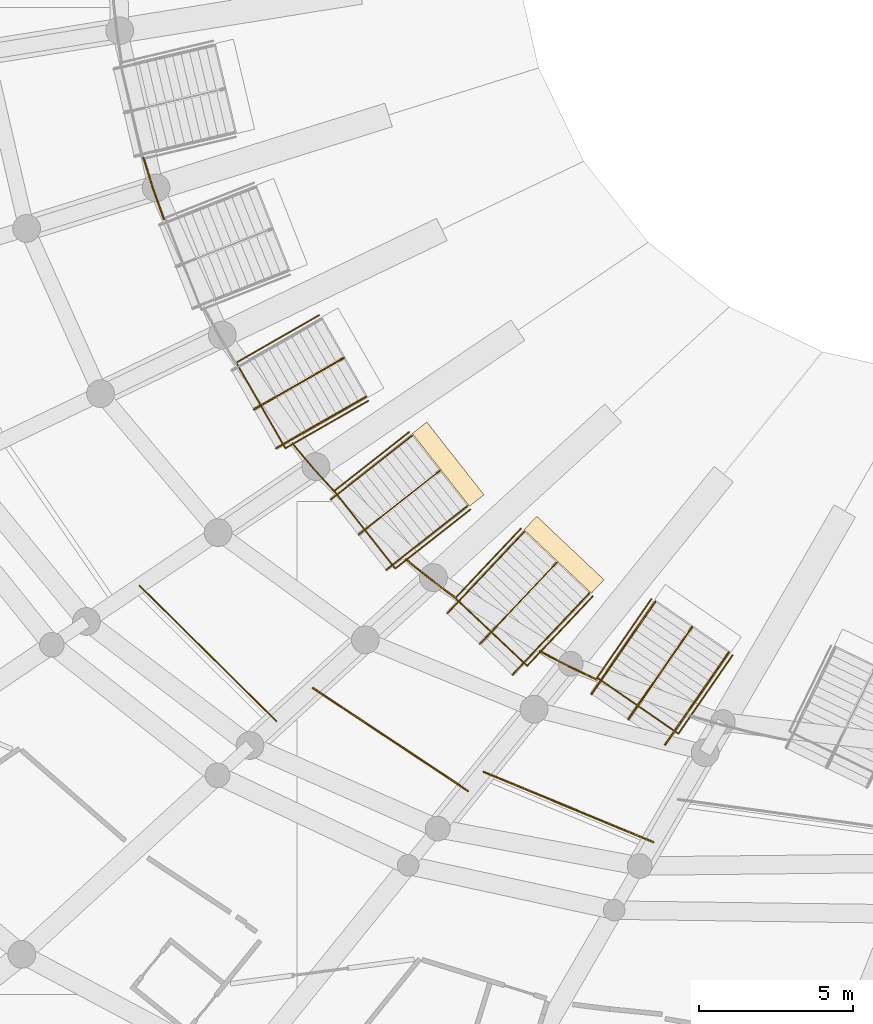
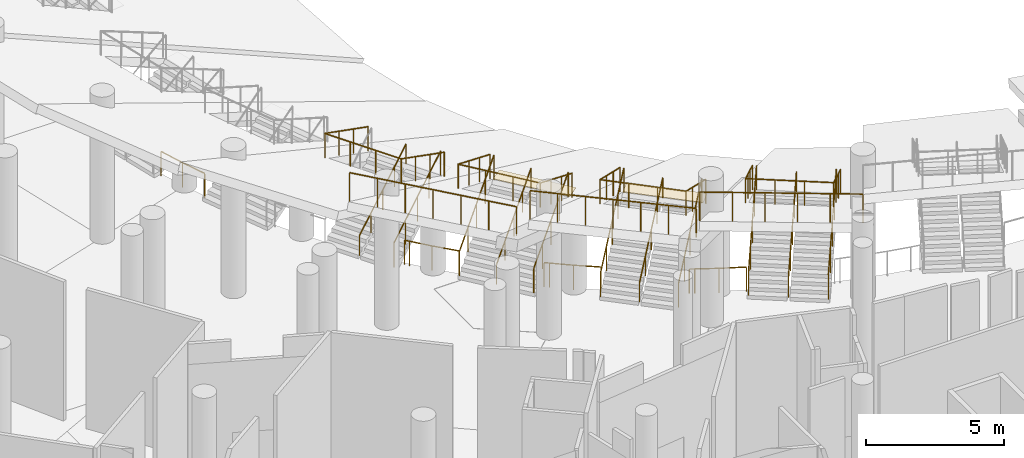
# One storey, part 194 of 255: 22 railings, 2 coverings.
"""IFC4 building model written with IfcOpenShell, lengths in metres."""

from ifc_helpers import new_model, si_unit, direction, frame, origin, origin_2d, place, context, subcontext, project, spatial, rectangle, circle, extrude, material, layer, layer_set, type_object, element, save


model = new_model("IFC4")

# Units and contexts
model_context = context("Model", 3, precision=1e-05, world=origin(), true_north=direction((0.0, 1.0)))
body_context = subcontext(model_context, "Body", "Model", "MODEL_VIEW")
ifc_project = project(units=[si_unit("LENGTHUNIT", "METRE"), si_unit("AREAUNIT", "SQUARE_METRE"), si_unit("VOLUMEUNIT", "CUBIC_METRE"), si_unit("PLANEANGLEUNIT", "RADIAN"), si_unit("MASSUNIT", "GRAM", prefix="KILO")], contexts=[model_context])

# Site, building, storey
site_placement = place(None, origin())
site = spatial("IfcSite", under=ifc_project, at=site_placement, CompositionType="ELEMENT")
building_placement = place(site_placement, origin())
building = spatial("IfcBuilding", under=site, at=building_placement, Name="Meseta Stadium", CompositionType="ELEMENT")
storey_placement = place(building_placement, origin())
storey = spatial("IfcBuildingStorey", under=building, at=storey_placement, Name="L00", CompositionType="ELEMENT", Elevation=0.0)

# Railings
ifc_material_1 = material(Name="Steel S355", Category="steel")
railing_type_1 = type_object("IfcRailingType", Name="Plate edge guard 1100", PredefinedType="GUARDRAIL", material=ifc_material_1)
railing_1_placement = place(storey_placement, frame((-52.97314453125, -52.8662109375, 0.0)))
element("IfcRailing", 1, at=railing_1_placement, inside=storey, type_object=railing_type_1, Name="L00 inner edge guard 39", PredefinedType="GUARDRAIL", context=body_context, shape_type="SweptSolid", body=[
    extrude(circle(Radius=0.02490234375, at=origin_2d()), frame((0.0, 0.0, 1.0751953125), z_axis=(0.298367036713, -0.954451209546, 0.0), x_axis=(0.954451209546, 0.298367036713, 0.0)), (0.0, 0.0, 1.0), 1.05712890625),
    extrude(circle(Radius=0.02490234375, at=origin_2d()), frame((0.3154296875, -1.009033203125, 1.0751953125), z_axis=(0.339552833225, -0.940586983457, 0.0), x_axis=(0.940586983457, 0.339552833225, 0.0)), (0.0, 0.0, 1.0), 1.047607421875),
    extrude(circle(Radius=0.02001953125, at=origin_2d()), origin(), (0.0, 0.0, 1.0), 1.050048828125),
    extrude(circle(Radius=0.02001953125, at=origin_2d()), frame((0.3154296875, -1.009033203125, 0.0)), (0.0, 0.0, 1.0), 1.050048828125),
    extrude(circle(Radius=0.02001953125, at=origin_2d()), frame((0.671142578125, -1.994384765625, 0.0)), (0.0, 0.0, 1.0), 1.050048828125),
])
railing_2_placement = place(storey_placement, frame((-48.14306640625, -62.12109375, 0.0)))
element("IfcRailing", 2, at=railing_2_placement, inside=storey, type_object=railing_type_1, Name="L00 inner edge guard 41", PredefinedType="GUARDRAIL", context=body_context, shape_type="SweptSolid", body=[
    extrude(circle(Radius=0.02490234375, at=origin_2d()), frame((0.0, 0.0, 1.0751953125), z_axis=(0.619198945774, -0.78523414696, 0.0), x_axis=(0.78523414696, 0.619198945774, 0.0)), (0.0, 0.0, 1.0), 0.195556640625),
    extrude(circle(Radius=0.02490234375, at=origin_2d()), frame((0.12109375, -0.153564453125, 1.0751953125), z_axis=(0.64414431416, -0.76490398256, 0.0), x_axis=(0.76490398256, 0.64414431416, 0.0)), (0.0, 0.0, 1.0), 0.87744140625),
    extrude(circle(Radius=0.02490234375, at=origin_2d()), frame((0.686279296875, -0.82470703125, 1.0751953125), z_axis=(0.67218256461, -0.740385440047, 0.0), x_axis=(0.740385440047, 0.67218256461, 0.0)), (0.0, 0.0, 1.0), 1.0166015625),
    extrude(circle(Radius=0.02001953125, at=origin_2d()), origin(), (0.0, 0.0, 1.0), 1.050048828125),
    extrude(circle(Radius=0.02001953125, at=origin_2d()), frame((0.12109375, -0.153564453125, 0.0)), (0.0, 0.0, 1.0), 1.050048828125),
    extrude(circle(Radius=0.02001953125, at=origin_2d()), frame((0.686279296875, -0.82470703125, 0.0)), (0.0, 0.0, 1.0), 1.050048828125),
    extrude(circle(Radius=0.02001953125, at=origin_2d()), frame((1.36962890625, -1.577392578125, 0.0)), (0.0, 0.0, 1.0), 1.050048828125),
])
railing_3_placement = place(storey_placement, frame((-44.46728515625, -65.8798828125, 0.0)))
element("IfcRailing", 3, at=railing_3_placement, inside=storey, type_object=railing_type_1, Name="L00 inner edge guard 42", PredefinedType="GUARDRAIL", context=body_context, shape_type="SweptSolid", body=[
    extrude(circle(Radius=0.02490234375, at=origin_2d()), frame((0.0, 0.0, 1.0751953125), z_axis=(0.759865787374, -0.650079983678, 0.0), x_axis=(0.650079983678, 0.759865787374, 0.0)), (0.0, 0.0, 1.0), 0.197998046875),
    extrude(circle(Radius=0.02490234375, at=origin_2d()), frame((0.150390625, -0.128662109375, 1.0751953125), z_axis=(0.780706207846, -0.624898245341, 0.0), x_axis=(0.624898245341, 0.780706207846, 0.0)), (0.0, 0.0, 1.0), 0.879150390625),
    extrude(circle(Radius=0.02490234375, at=origin_2d()), frame((0.836669921875, -0.677978515625, 1.0751953125), z_axis=(0.802947355475, -0.596049951208, 0.0), x_axis=(0.596049951208, 0.802947355475, 0.0)), (0.0, 0.0, 1.0), 1.000732421875),
    extrude(circle(Radius=0.02001953125, at=origin_2d()), origin(), (0.0, 0.0, 1.0), 1.050048828125),
    extrude(circle(Radius=0.02001953125, at=origin_2d()), frame((0.150390625, -0.128662109375, 0.0)), (0.0, 0.0, 1.0), 1.050048828125),
    extrude(circle(Radius=0.02001953125, at=origin_2d()), frame((0.836669921875, -0.677978515625, 0.0)), (0.0, 0.0, 1.0), 1.050048828125),
    extrude(circle(Radius=0.02001953125, at=origin_2d()), frame((1.64013671875, -1.2744140625, 0.0)), (0.0, 0.0, 1.0), 1.050048828125),
])
railing_4_placement = place(storey_placement, frame((-40.119384765625, -68.85986328125, 0.0)))
element("IfcRailing", 4, at=railing_4_placement, inside=storey, type_object=railing_type_1, Name="L00 inner edge guard 43", PredefinedType="GUARDRAIL", context=body_context, shape_type="SweptSolid", body=[
    extrude(circle(Radius=0.02490234375, at=origin_2d()), frame((0.0, 0.0, 1.0751953125), z_axis=(0.872066441359, -0.489387496628, 0.0), x_axis=(0.489387496628, 0.872066441359, 0.0)), (0.0, 0.0, 1.0), 0.198974609375),
    extrude(circle(Radius=0.02490234375, at=origin_2d()), frame((0.173583984375, -0.097412109375, 1.0751953125), z_axis=(0.887171475651, -0.461439890768, 0.0), x_axis=(0.461439890768, 0.887171475651, 0.0)), (0.0, 0.0, 1.0), 0.882080078125),
    extrude(circle(Radius=0.02490234375, at=origin_2d()), frame((0.9560546875, -0.50439453125, 1.0751953125), z_axis=(0.90338039609, -0.428840133337, 0.0), x_axis=(0.428840133337, 0.90338039609, 0.0)), (0.0, 0.0, 1.0), 0.98828125),
    extrude(circle(Radius=0.02001953125, at=origin_2d()), origin(), (0.0, 0.0, 1.0), 1.050048828125),
    extrude(circle(Radius=0.02001953125, at=origin_2d()), frame((0.173583984375, -0.097412109375, 0.0)), (0.0, 0.0, 1.0), 1.050048828125),
    extrude(circle(Radius=0.02001953125, at=origin_2d()), frame((0.9560546875, -0.50439453125, 0.0)), (0.0, 0.0, 1.0), 1.050048828125),
    extrude(circle(Radius=0.02001953125, at=origin_2d()), frame((1.848876953125, -0.92822265625, 0.0)), (0.0, 0.0, 1.0), 1.050048828125),
])
ifc_material_2 = material(Name="Steel S355", Category="steel")
railing_type_2 = type_object("IfcRailingType", Name="Stand rear guard 1300", PredefinedType="GUARDRAIL", material=ifc_material_2)
railing_5_placement = place(storey_placement, frame((-53.10009765625, -66.74072265625, 7.31884765625)))
element("IfcRailing", 5, at=railing_5_placement, inside=storey, type_object=railing_type_2, Name="Stand lower tier rear guard bay 41", PredefinedType="GUARDRAIL", context=body_context, shape_type="SweptSolid", body=[
    extrude(circle(Radius=0.02490234375, at=origin_2d()), frame((0.0, 0.0, 1.27490234375), z_axis=(0.709200353402, -0.702182813761, -0.063040897776), x_axis=(0.703582278008, 0.710613803745, 0.0)), (0.0, 0.0, 1.0), 6.26220703125),
    extrude(circle(Radius=0.02001953125, at=origin_2d()), origin(), (0.0, 0.0, 1.0), 1.25),
    extrude(circle(Radius=0.02001953125, at=origin_2d()), frame((0.740234375, -0.73291015625, -0.06591796875)), (0.0, 0.0, 1.0), 1.25),
    extrude(circle(Radius=0.02001953125, at=origin_2d()), frame((1.48046875, -1.4658203125, -0.131591796875)), (0.0, 0.0, 1.0), 1.25),
    extrude(circle(Radius=0.02001953125, at=origin_2d()), frame((2.220703125, -2.19873046875, -0.197265625)), (0.0, 0.0, 1.0), 1.25),
    extrude(circle(Radius=0.02001953125, at=origin_2d()), frame((2.960693359375, -2.931396484375, -0.26318359375)), (0.0, 0.0, 1.0), 1.25),
    extrude(circle(Radius=0.02001953125, at=origin_2d()), frame((3.700927734375, -3.664306640625, -0.3291015625)), (0.0, 0.0, 1.0), 1.25),
    extrude(circle(Radius=0.02001953125, at=origin_2d()), frame((4.441162109375, -4.397216796875, -0.394775390625)), (0.0, 0.0, 1.0), 1.25),
])
railing_6_placement = place(storey_placement, frame((-47.478759765625, -70.0576171875, 6.56689453125)))
element("IfcRailing", 6, at=railing_6_placement, inside=storey, type_object=railing_type_2, Name="Stand lower tier rear guard bay 42", PredefinedType="GUARDRAIL", context=body_context, shape_type="SweptSolid", body=[
    extrude(circle(Radius=0.02490234375, at=origin_2d()), frame((0.0, 0.0, 1.27490234375), z_axis=(0.829949257802, -0.551191978822, -0.085858208435), x_axis=(0.553234872584, 0.833025315196, 0.0)), (0.0, 0.0, 1.0), 6.0625),
    extrude(circle(Radius=0.02001953125, at=origin_2d()), origin(), (0.0, 0.0, 1.0), 1.25),
    extrude(circle(Radius=0.02001953125, at=origin_2d()), frame((0.838623046875, -0.556884765625, -0.086669921875)), (0.0, 0.0, 1.0), 1.25),
    extrude(circle(Radius=0.02001953125, at=origin_2d()), frame((1.67724609375, -1.11376953125, -0.173583984375)), (0.0, 0.0, 1.0), 1.25),
    extrude(circle(Radius=0.02001953125, at=origin_2d()), frame((2.515625, -1.6708984375, -0.26025390625)), (0.0, 0.0, 1.0), 1.25),
    extrude(circle(Radius=0.02001953125, at=origin_2d()), frame((3.354248046875, -2.227783203125, -0.346923828125)), (0.0, 0.0, 1.0), 1.25),
    extrude(circle(Radius=0.02001953125, at=origin_2d()), frame((4.19287109375, -2.78466796875, -0.433837890625)), (0.0, 0.0, 1.0), 1.25),
    extrude(circle(Radius=0.02001953125, at=origin_2d()), frame((5.031494140625, -3.341552734375, -0.5205078125)), (0.0, 0.0, 1.0), 1.25),
])
railing_7_placement = place(storey_placement, frame((-41.94482421875, -72.776611328125, 6.21728515625)))
element("IfcRailing", 7, at=railing_7_placement, inside=storey, type_object=railing_type_2, Name="Stand lower tier rear guard bay 43", PredefinedType="GUARDRAIL", context=body_context, shape_type="SweptSolid", body=[
    extrude(circle(Radius=0.02490234375, at=origin_2d()), frame((0.0, 0.0, 1.27490234375), z_axis=(0.918705190478, -0.380326600198, -0.106453981467), x_axis=(0.382500107236, 0.923955446958, 0.0)), (0.0, 0.0, 1.0), 5.994873046875),
    extrude(circle(Radius=0.02001953125, at=origin_2d()), origin(), (0.0, 0.0, 1.0), 1.25),
    extrude(circle(Radius=0.02001953125, at=origin_2d()), frame((1.1015625, -0.4560546875, -0.127685546875)), (0.0, 0.0, 1.0), 1.25),
    extrude(circle(Radius=0.02001953125, at=origin_2d()), frame((2.203125, -0.912109375, -0.25537109375)), (0.0, 0.0, 1.0), 1.25),
    extrude(circle(Radius=0.02001953125, at=origin_2d()), frame((3.304443359375, -1.367919921875, -0.3828125)), (0.0, 0.0, 1.0), 1.25),
    extrude(circle(Radius=0.02001953125, at=origin_2d()), frame((4.406005859375, -1.823974609375, -0.510498046875)), (0.0, 0.0, 1.0), 1.25),
    extrude(circle(Radius=0.02001953125, at=origin_2d()), frame((5.507568359375, -2.280029296875, -0.63818359375)), (0.0, 0.0, 1.0), 1.25),
])

# Coverings
ifc_material_3 = material(Name="Stone paving", Category="masonry")
ifc_layer = layer(ifc_material_3, 0.02001953125)
ifc_layer_set = layer_set([ifc_layer], Name="Vomitory exit threshold plate 20")
covering_type = type_object("IfcCoveringType", Name="Vomitory exit threshold plate 20", PredefinedType="FLOORING", material=ifc_layer_set)
for number, where, z_axis, x_axis, name in (
    (8, (-43.09228515625, -62.8017578125, 2.21875), (0.0, 0.0, 1.0), (0.786141751877, 0.618046232862, 0.0), "Vomitory V-lower-41 exit threshold"),
    (9, (-39.334716796875, -65.739013671875, 2.26904296875), (0.0, 0.0, 1.0), (0.686064733008, 0.72754050205, 0.0), "Vomitory V-lower-42 exit threshold"),
):
    element("IfcCovering", number, at=place(storey_placement, frame(where, z_axis=z_axis, x_axis=x_axis)), inside=storey, type_object=covering_type, Name=name, PredefinedType="FLOORING", context=body_context, shape_type="SweptSolid", body=[
        extrude(rectangle(XDim=0.60009765625, YDim=3.0, at=origin_2d()), origin(), (0.0, 0.0, 1.0), 0.02001953125),
    ])

# Railings
ifc_material_4 = material(Name="Steel S355", Category="steel")
railing_type_3 = type_object("IfcRailingType", Name="Vomitory slot guard 1100", PredefinedType="GUARDRAIL", material=ifc_material_4)
railing_8_placement = place(storey_placement, frame((-45.681396484375, -60.745849609375, 2.188232421875)))
element("IfcRailing", 10, at=railing_8_placement, inside=storey, type_object=railing_type_3, Name="Vomitory V-lower-40 slot guard", PredefinedType="GUARDRAIL", context=body_context, shape_type="SweptSolid", body=[
    extrude(circle(Radius=0.02490234375, at=origin_2d()), frame((0.0, 0.0, 1.0751953125), z_axis=(-0.773000537129, -0.442766962227, 0.454343027632), x_axis=(0.49702922619, -0.867733800375, 0.0)), (0.0, 0.0, 1.0), 3.47998046875),
    extrude(circle(Radius=0.02490234375, at=origin_2d()), frame((-2.68994140625, -1.540771484375, 2.65625), z_axis=(-0.497124557531, 0.867679188583, 0.0), x_axis=(-0.867679188583, -0.497124557531, 0.0)), (0.0, 0.0, 1.0), 3.199951171875),
    extrude(circle(Radius=0.02490234375, at=origin_2d()), frame((-4.28076171875, 1.23583984375, 2.65625), z_axis=(0.772976524141, 0.442823363621, -0.454328913627), x_axis=(-0.497088522993, 0.867699833069, 0.0)), (0.0, 0.0, 1.0), 3.47998046875),
    extrude(circle(Radius=0.02001953125, at=origin_2d()), origin(), (0.0, 0.0, 1.0), 1.050048828125),
    extrude(circle(Radius=0.02001953125, at=origin_2d()), frame((-0.896728515625, -0.513671875, 0.527099609375)), (0.0, 0.0, 1.0), 1.050048828125),
    extrude(circle(Radius=0.02001953125, at=origin_2d()), frame((-1.793212890625, -1.027099609375, 1.053955078125)), (0.0, 0.0, 1.0), 1.050048828125),
    extrude(circle(Radius=0.02001953125, at=origin_2d()), frame((-2.68994140625, -1.540771484375, 1.5810546875)), (0.0, 0.0, 1.0), 1.050048828125),
    extrude(circle(Radius=0.02001953125, at=origin_2d()), frame((-3.22021484375, -0.615234375, 1.5810546875)), (0.0, 0.0, 1.0), 1.050048828125),
    extrude(circle(Radius=0.02001953125, at=origin_2d()), frame((-3.75048828125, 0.310302734375, 1.5810546875)), (0.0, 0.0, 1.0), 1.050048828125),
    extrude(circle(Radius=0.02001953125, at=origin_2d()), frame((-4.28076171875, 1.23583984375, 1.5810546875)), (0.0, 0.0, 1.0), 1.050048828125),
    extrude(circle(Radius=0.02001953125, at=origin_2d()), frame((-3.384033203125, 1.74951171875, 1.053955078125)), (0.0, 0.0, 1.0), 1.050048828125),
    extrude(circle(Radius=0.02001953125, at=origin_2d()), frame((-2.487548828125, 2.26318359375, 0.527099609375)), (0.0, 0.0, 1.0), 1.050048828125),
    extrude(circle(Radius=0.02001953125, at=origin_2d()), frame((-1.5908203125, 2.77685546875, 0.0)), (0.0, 0.0, 1.0), 1.050048828125),
])
railing_9_placement = place(storey_placement, frame((-42.371826171875, -64.2705078125, 2.23876953125)))
element("IfcRailing", 11, at=railing_9_placement, inside=storey, type_object=railing_type_3, Name="Vomitory V-lower-41 slot guard", PredefinedType="GUARDRAIL", context=body_context, shape_type="SweptSolid", body=[
    extrude(circle(Radius=0.02490234375, at=origin_2d()), frame((0.0, 0.0, 1.0751953125), z_axis=(-0.700355252069, -0.550559773891, 0.454297761686), x_axis=(0.618016316891, -0.786165270193, 0.0)), (0.0, 0.0, 1.0), 3.479736328125),
    extrude(circle(Radius=0.02490234375, at=origin_2d()), frame((-2.43701171875, -1.915771484375, 2.65576171875), z_axis=(-0.618057385598, 0.78613298373, 0.0), x_axis=(-0.78613298373, -0.618057385598, 0.0)), (0.0, 0.0, 1.0), 3.199951171875),
    extrude(circle(Radius=0.02490234375, at=origin_2d()), frame((-4.414794921875, 0.599853515625, 2.65576171875), z_axis=(0.700355252069, 0.550559773891, -0.454297761686), x_axis=(-0.618016316891, 0.786165270193, 0.0)), (0.0, 0.0, 1.0), 3.479736328125),
    extrude(circle(Radius=0.02001953125, at=origin_2d()), origin(), (0.0, 0.0, 1.0), 1.050048828125),
    extrude(circle(Radius=0.02001953125, at=origin_2d()), frame((-0.812255859375, -0.638671875, 0.52685546875)), (0.0, 0.0, 1.0), 1.050048828125),
    extrude(circle(Radius=0.02001953125, at=origin_2d()), frame((-1.624755859375, -1.277099609375, 1.053955078125)), (0.0, 0.0, 1.0), 1.050048828125),
    extrude(circle(Radius=0.02001953125, at=origin_2d()), frame((-2.43701171875, -1.915771484375, 1.580810546875)), (0.0, 0.0, 1.0), 1.050048828125),
    extrude(circle(Radius=0.02001953125, at=origin_2d()), frame((-3.09619140625, -1.0771484375, 1.580810546875)), (0.0, 0.0, 1.0), 1.050048828125),
    extrude(circle(Radius=0.02001953125, at=origin_2d()), frame((-3.755615234375, -0.23876953125, 1.580810546875)), (0.0, 0.0, 1.0), 1.050048828125),
    extrude(circle(Radius=0.02001953125, at=origin_2d()), frame((-4.414794921875, 0.599853515625, 1.580810546875)), (0.0, 0.0, 1.0), 1.050048828125),
    extrude(circle(Radius=0.02001953125, at=origin_2d()), frame((-3.6025390625, 1.238525390625, 1.053955078125)), (0.0, 0.0, 1.0), 1.050048828125),
    extrude(circle(Radius=0.02001953125, at=origin_2d()), frame((-2.7900390625, 1.876953125, 0.52685546875)), (0.0, 0.0, 1.0), 1.050048828125),
    extrude(circle(Radius=0.02001953125, at=origin_2d()), frame((-1.977783203125, 2.515625, 0.0)), (0.0, 0.0, 1.0), 1.050048828125),
])
railing_10_placement = place(storey_placement, frame((-38.404541015625, -67.0849609375, 2.2890625)))
element("IfcRailing", 12, at=railing_10_placement, inside=storey, type_object=railing_type_3, Name="Vomitory V-lower-42 slot guard", PredefinedType="GUARDRAIL", context=body_context, shape_type="SweptSolid", body=[
    extrude(circle(Radius=0.02490234375, at=origin_2d()), frame((0.0, 0.0, 1.0751953125), z_axis=(-0.611194378276, -0.648096150885, 0.454326766955), x_axis=(0.727515277966, -0.686091481018, 0.0)), (0.0, 0.0, 1.0), 3.47998046875),
    extrude(circle(Radius=0.02490234375, at=origin_2d()), frame((-2.126953125, -2.25537109375, 2.65625), z_axis=(-0.727554587562, 0.686049795654, 0.0), x_axis=(-0.686049795654, -0.727554587562, 0.0)), (0.0, 0.0, 1.0), 3.199951171875),
    extrude(circle(Radius=0.02490234375, at=origin_2d()), frame((-4.455078125, -0.06005859375, 2.65625), z_axis=(0.611194378276, 0.648096150885, -0.454326766955), x_axis=(-0.727515277966, 0.686091481018, 0.0)), (0.0, 0.0, 1.0), 3.47998046875),
    extrude(circle(Radius=0.02001953125, at=origin_2d()), origin(), (0.0, 0.0, 1.0), 1.050048828125),
    extrude(circle(Radius=0.02001953125, at=origin_2d()), frame((-0.708984375, -0.751708984375, 0.527099609375)), (0.0, 0.0, 1.0), 1.050048828125),
    extrude(circle(Radius=0.02001953125, at=origin_2d()), frame((-1.41796875, -1.503662109375, 1.053955078125)), (0.0, 0.0, 1.0), 1.050048828125),
    extrude(circle(Radius=0.02001953125, at=origin_2d()), frame((-2.126953125, -2.25537109375, 1.5810546875)), (0.0, 0.0, 1.0), 1.050048828125),
    extrude(circle(Radius=0.02001953125, at=origin_2d()), frame((-2.903076171875, -1.523681640625, 1.5810546875)), (0.0, 0.0, 1.0), 1.050048828125),
    extrude(circle(Radius=0.02001953125, at=origin_2d()), frame((-3.678955078125, -0.791748046875, 1.5810546875)), (0.0, 0.0, 1.0), 1.050048828125),
    extrude(circle(Radius=0.02001953125, at=origin_2d()), frame((-4.455078125, -0.06005859375, 1.5810546875)), (0.0, 0.0, 1.0), 1.050048828125),
    extrude(circle(Radius=0.02001953125, at=origin_2d()), frame((-3.74609375, 0.691650390625, 1.053955078125)), (0.0, 0.0, 1.0), 1.050048828125),
    extrude(circle(Radius=0.02001953125, at=origin_2d()), frame((-3.037109375, 1.443603515625, 0.527099609375)), (0.0, 0.0, 1.0), 1.050048828125),
    extrude(circle(Radius=0.02001953125, at=origin_2d()), frame((-2.328125, 2.1953125, 0.0)), (0.0, 0.0, 1.0), 1.050048828125),
])
railing_11_placement = place(storey_placement, frame((-33.867919921875, -68.9892578125, 2.2880859375)))
element("IfcRailing", 13, at=railing_11_placement, inside=storey, type_object=railing_type_3, Name="Vomitory V-lower-43 slot guard", PredefinedType="GUARDRAIL", context=body_context, shape_type="SweptSolid", body=[
    extrude(circle(Radius=0.02490234375, at=origin_2d()), frame((0.0, 0.0, 1.0751953125), z_axis=(-0.505913025585, -0.733226602466, 0.454346519718), x_axis=(0.823087110293, -0.567915142314, 0.0)), (0.0, 0.0, 1.0), 3.479736328125),
    extrude(circle(Radius=0.02490234375, at=origin_2d()), frame((-1.760498046875, -2.551513671875, 2.65625), z_axis=(-0.823070129535, 0.56793975197, 0.0), x_axis=(-0.56793975197, -0.823070129535, 0.0)), (0.0, 0.0, 1.0), 3.199951171875),
    extrude(circle(Radius=0.02490234375, at=origin_2d()), frame((-4.394287109375, -0.734130859375, 2.65625), z_axis=(0.505913025585, 0.733226602466, -0.454346519718), x_axis=(-0.823087110293, 0.567915142314, 0.0)), (0.0, 0.0, 1.0), 3.479736328125),
    extrude(circle(Radius=0.02001953125, at=origin_2d()), origin(), (0.0, 0.0, 1.0), 1.050048828125),
    extrude(circle(Radius=0.02001953125, at=origin_2d()), frame((-0.5869140625, -0.8505859375, 0.527099609375)), (0.0, 0.0, 1.0), 1.050048828125),
    extrude(circle(Radius=0.02001953125, at=origin_2d()), frame((-1.173583984375, -1.700927734375, 1.053955078125)), (0.0, 0.0, 1.0), 1.050048828125),
    extrude(circle(Radius=0.02001953125, at=origin_2d()), frame((-1.760498046875, -2.551513671875, 1.5810546875)), (0.0, 0.0, 1.0), 1.050048828125),
    extrude(circle(Radius=0.02001953125, at=origin_2d()), frame((-2.638427734375, -1.94580078125, 1.5810546875)), (0.0, 0.0, 1.0), 1.050048828125),
    extrude(circle(Radius=0.02001953125, at=origin_2d()), frame((-3.516357421875, -1.33984375, 1.5810546875)), (0.0, 0.0, 1.0), 1.050048828125),
    extrude(circle(Radius=0.02001953125, at=origin_2d()), frame((-4.394287109375, -0.734130859375, 1.5810546875)), (0.0, 0.0, 1.0), 1.050048828125),
    extrude(circle(Radius=0.02001953125, at=origin_2d()), frame((-3.807373046875, 0.116455078125, 1.053955078125)), (0.0, 0.0, 1.0), 1.050048828125),
    extrude(circle(Radius=0.02001953125, at=origin_2d()), frame((-3.220703125, 0.966796875, 0.527099609375)), (0.0, 0.0, 1.0), 1.050048828125),
    extrude(circle(Radius=0.02001953125, at=origin_2d()), frame((-2.6337890625, 1.8173828125, 0.0)), (0.0, 0.0, 1.0), 1.050048828125),
])
ifc_material_5 = material(Name="Steel S355", Category="steel")
railing_type_4 = type_object("IfcRailingType", Name="Vomitory stair guard 1100", PredefinedType="GUARDRAIL", material=ifc_material_5)
railing_12_placement = place(storey_placement, frame((-48.671630859375, -62.28564453125, 0.168212890625)))
element("IfcRailing", 14, at=railing_12_placement, inside=storey, type_object=railing_type_4, Name="Vomitory V-lower-40 guard right", PredefinedType="GUARDRAIL", context=body_context, shape_type="SweptSolid", body=[
    extrude(circle(Radius=0.02490234375, at=origin_2d()), frame((0.0, 0.0, 1.0751953125), z_axis=(0.743664228434, 0.426009628765, 0.515246845257), x_axis=(-0.497069824049, 0.867710545066, 0.0)), (0.0, 0.0, 1.0), 3.92041015625),
    extrude(circle(Radius=0.02001953125, at=origin_2d()), origin(), (0.0, 0.0, 1.0), 1.050048828125),
    extrude(circle(Radius=0.02001953125, at=origin_2d()), frame((0.72900390625, 0.41748046875, 0.5048828125)), (0.0, 0.0, 1.0), 1.050048828125),
    extrude(circle(Radius=0.02001953125, at=origin_2d()), frame((1.457763671875, 0.8349609375, 1.010009765625)), (0.0, 0.0, 1.0), 1.050048828125),
    extrude(circle(Radius=0.02001953125, at=origin_2d()), frame((2.1865234375, 1.252685546875, 1.51513671875)), (0.0, 0.0, 1.0), 1.050048828125),
    extrude(circle(Radius=0.02001953125, at=origin_2d()), frame((2.91552734375, 1.670166015625, 2.02001953125)), (0.0, 0.0, 1.0), 1.050048828125),
])
for number, where, name in (
    (15, (-46.898193359375, -63.949462890625, 0.172119140625), "Vomitory V-lower-41 guard left"),
    (16, (-45.10595703125, -66.229248046875, 0.172119140625), "Vomitory V-lower-41 guard right"),
):
    element("IfcRailing", number, at=place(storey_placement, frame(where)), inside=storey, type_object=railing_type_4, Name=name, PredefinedType="GUARDRAIL", context=body_context, shape_type="SweptSolid", body=[
        extrude(circle(Radius=0.02490234375, at=origin_2d()), frame((0.0, 0.0, 1.0751953125), z_axis=(0.669603580808, 0.526448660537, 0.523911111151), x_axis=(-0.61806220124, 0.78612919765, 0.0)), (0.0, 0.0, 1.0), 3.944580078125),
        extrude(circle(Radius=0.02001953125, at=origin_2d()), origin(), (0.0, 0.0, 1.0), 1.050048828125),
        extrude(circle(Radius=0.02001953125, at=origin_2d()), frame((0.660400390625, 0.51904296875, 0.5166015625)), (0.0, 0.0, 1.0), 1.050048828125),
        extrude(circle(Radius=0.02001953125, at=origin_2d()), frame((1.32080078125, 1.038330078125, 1.033203125)), (0.0, 0.0, 1.0), 1.050048828125),
        extrude(circle(Radius=0.02001953125, at=origin_2d()), frame((1.98095703125, 1.5576171875, 1.550048828125)), (0.0, 0.0, 1.0), 1.050048828125),
        extrude(circle(Radius=0.02001953125, at=origin_2d()), frame((2.641357421875, 2.07666015625, 2.066650390625)), (0.0, 0.0, 1.0), 1.050048828125),
    ])
railing_13_placement = place(storey_placement, frame((-43.120849609375, -67.640869140625, 0.16357421875)))
element("IfcRailing", 17, at=railing_13_placement, inside=storey, type_object=railing_type_4, Name="Vomitory V-lower-42 guard left", PredefinedType="GUARDRAIL", context=body_context, shape_type="SweptSolid", body=[
    extrude(circle(Radius=0.02490234375, at=origin_2d()), frame((0.0, 0.0, 1.0751953125), z_axis=(0.592444720752, 0.628296053447, 0.504235383602), x_axis=(-0.727559755057, 0.686044315494, 0.0)), (0.0, 0.0, 1.0), 4.21533203125),
    extrude(circle(Radius=0.02001953125, at=origin_2d()), origin(), (0.0, 0.0, 1.0), 1.050048828125),
    extrude(circle(Radius=0.02001953125, at=origin_2d()), frame((0.624267578125, 0.662109375, 0.53125)), (0.0, 0.0, 1.0), 1.050048828125),
    extrude(circle(Radius=0.02001953125, at=origin_2d()), frame((1.24853515625, 1.32421875, 1.062744140625)), (0.0, 0.0, 1.0), 1.050048828125),
    extrude(circle(Radius=0.02001953125, at=origin_2d()), frame((1.873046875, 1.986328125, 1.59423828125)), (0.0, 0.0, 1.0), 1.050048828125),
    extrude(circle(Radius=0.02001953125, at=origin_2d()), frame((2.497314453125, 2.6484375, 2.12548828125)), (0.0, 0.0, 1.0), 1.050048828125),
])
railing_14_placement = place(storey_placement, frame((-41.010986328125, -69.63037109375, 0.16357421875)))
element("IfcRailing", 18, at=railing_14_placement, inside=storey, type_object=railing_type_4, Name="Vomitory V-lower-42 guard right", PredefinedType="GUARDRAIL", context=body_context, shape_type="SweptSolid", body=[
    extrude(circle(Radius=0.02490234375, at=origin_2d()), frame((0.0, 0.0, 1.0751953125), z_axis=(0.592466279846, 0.628260996919, 0.504253732754), x_axis=(-0.727528186472, 0.686077792885, 0.0)), (0.0, 0.0, 1.0), 4.215087890625),
    extrude(circle(Radius=0.02001953125, at=origin_2d()), origin(), (0.0, 0.0, 1.0), 1.050048828125),
    extrude(circle(Radius=0.02001953125, at=origin_2d()), frame((0.624267578125, 0.662109375, 0.53125)), (0.0, 0.0, 1.0), 1.050048828125),
    extrude(circle(Radius=0.02001953125, at=origin_2d()), frame((1.24853515625, 1.32421875, 1.062744140625)), (0.0, 0.0, 1.0), 1.050048828125),
    extrude(circle(Radius=0.02001953125, at=origin_2d()), frame((1.873046875, 1.986083984375, 1.59423828125)), (0.0, 0.0, 1.0), 1.050048828125),
    extrude(circle(Radius=0.02001953125, at=origin_2d()), frame((2.497314453125, 2.648193359375, 2.12548828125)), (0.0, 0.0, 1.0), 1.050048828125),
])
for number, where, name in (
    (19, (-38.445556640625, -70.253173828125, 0.163330078125), "Vomitory V-lower-43 guard left"),
    (20, (-36.05859375, -71.900146484375, 0.163330078125), "Vomitory V-lower-43 guard right"),
):
    element("IfcRailing", number, at=place(storey_placement, frame(where)), inside=storey, type_object=railing_type_4, Name=name, PredefinedType="GUARDRAIL", context=body_context, shape_type="SweptSolid", body=[
        extrude(circle(Radius=0.02490234375, at=origin_2d()), frame((0.0, 0.0, 1.0751953125), z_axis=(0.490451930686, 0.710856985164, 0.504122257324), x_axis=(-0.823101434641, 0.567894381283, 0.0)), (0.0, 0.0, 1.0), 4.21484375),
        extrude(circle(Radius=0.02001953125, at=origin_2d()), origin(), (0.0, 0.0, 1.0), 1.050048828125),
        extrude(circle(Radius=0.02001953125, at=origin_2d()), frame((0.516845703125, 0.7490234375, 0.53125)), (0.0, 0.0, 1.0), 1.050048828125),
        extrude(circle(Radius=0.02001953125, at=origin_2d()), frame((1.03369140625, 1.498046875, 1.0625)), (0.0, 0.0, 1.0), 1.050048828125),
        extrude(circle(Radius=0.02001953125, at=origin_2d()), frame((1.55029296875, 2.2470703125, 1.593505859375)), (0.0, 0.0, 1.0), 1.050048828125),
        extrude(circle(Radius=0.02001953125, at=origin_2d()), frame((2.067138671875, 2.99609375, 2.124755859375)), (0.0, 0.0, 1.0), 1.050048828125),
    ])
ifc_material_6 = material(Name="Steel S355", Category="steel")
railing_type_5 = type_object("IfcRailingType", Name="Vomitory stair handrail 900", PredefinedType="HANDRAIL", material=ifc_material_6)
railing_15_placement = place(storey_placement, frame((-49.392333984375, -61.027587890625, 0.168212890625)))
element("IfcRailing", 21, at=railing_15_placement, inside=storey, type_object=railing_type_5, Name="Vomitory V-lower-40 central handrail", PredefinedType="HANDRAIL", context=body_context, shape_type="SweptSolid", body=[
    extrude(circle(Radius=0.02490234375, at=origin_2d()), frame((0.0, 0.0, 0.875), z_axis=(0.743664228434, 0.426009628765, 0.515246845257), x_axis=(-0.497069824049, 0.867710545066, 0.0)), (0.0, 0.0, 1.0), 3.92041015625),
    extrude(circle(Radius=0.02001953125, at=origin_2d()), origin(), (0.0, 0.0, 1.0), 0.849853515625),
    extrude(circle(Radius=0.02001953125, at=origin_2d()), frame((0.72900390625, 0.41748046875, 0.5048828125)), (0.0, 0.0, 1.0), 0.849853515625),
    extrude(circle(Radius=0.02001953125, at=origin_2d()), frame((1.457763671875, 0.8349609375, 1.010009765625)), (0.0, 0.0, 1.0), 0.849853515625),
    extrude(circle(Radius=0.02001953125, at=origin_2d()), frame((2.1865234375, 1.252685546875, 1.51513671875)), (0.0, 0.0, 1.0), 0.849853515625),
    extrude(circle(Radius=0.02001953125, at=origin_2d()), frame((2.91552734375, 1.670166015625, 2.02001953125)), (0.0, 0.0, 1.0), 0.849853515625),
])
railing_16_placement = place(storey_placement, frame((-46.002197265625, -65.08935546875, 0.172119140625)))
element("IfcRailing", 22, at=railing_16_placement, inside=storey, type_object=railing_type_5, Name="Vomitory V-lower-41 central handrail", PredefinedType="HANDRAIL", context=body_context, shape_type="SweptSolid", body=[
    extrude(circle(Radius=0.02490234375, at=origin_2d()), frame((0.0, 0.0, 0.875), z_axis=(0.66963771993, 0.526426843413, 0.523889399188), x_axis=(-0.618026897901, 0.786156952186, 0.0)), (0.0, 0.0, 1.0), 3.94482421875),
    extrude(circle(Radius=0.02001953125, at=origin_2d()), origin(), (0.0, 0.0, 1.0), 0.849853515625),
    extrude(circle(Radius=0.02001953125, at=origin_2d()), frame((0.660400390625, 0.51904296875, 0.5166015625)), (0.0, 0.0, 1.0), 0.849853515625),
    extrude(circle(Radius=0.02001953125, at=origin_2d()), frame((1.32080078125, 1.038330078125, 1.033203125)), (0.0, 0.0, 1.0), 0.849853515625),
    extrude(circle(Radius=0.02001953125, at=origin_2d()), frame((1.981201171875, 1.5576171875, 1.550048828125)), (0.0, 0.0, 1.0), 0.849853515625),
    extrude(circle(Radius=0.02001953125, at=origin_2d()), frame((2.6416015625, 2.07666015625, 2.066650390625)), (0.0, 0.0, 1.0), 0.849853515625),
])
railing_17_placement = place(storey_placement, frame((-42.06591796875, -68.635498046875, 0.16357421875)))
element("IfcRailing", 23, at=railing_17_placement, inside=storey, type_object=railing_type_5, Name="Vomitory V-lower-42 central handrail", PredefinedType="HANDRAIL", context=body_context, shape_type="SweptSolid", body=[
    extrude(circle(Radius=0.02490234375, at=origin_2d()), frame((0.0, 0.0, 0.875), z_axis=(0.592466279846, 0.628260996919, 0.504253732754), x_axis=(-0.727528186472, 0.686077792885, 0.0)), (0.0, 0.0, 1.0), 4.215087890625),
    extrude(circle(Radius=0.02001953125, at=origin_2d()), origin(), (0.0, 0.0, 1.0), 0.849853515625),
    extrude(circle(Radius=0.02001953125, at=origin_2d()), frame((0.624267578125, 0.662109375, 0.53125)), (0.0, 0.0, 1.0), 0.849853515625),
    extrude(circle(Radius=0.02001953125, at=origin_2d()), frame((1.24853515625, 1.32421875, 1.062744140625)), (0.0, 0.0, 1.0), 0.849853515625),
    extrude(circle(Radius=0.02001953125, at=origin_2d()), frame((1.873046875, 1.986083984375, 1.59423828125)), (0.0, 0.0, 1.0), 0.849853515625),
    extrude(circle(Radius=0.02001953125, at=origin_2d()), frame((2.497314453125, 2.648193359375, 2.12548828125)), (0.0, 0.0, 1.0), 0.849853515625),
])
railing_18_placement = place(storey_placement, frame((-37.251953125, -71.07666015625, 0.163330078125)))
element("IfcRailing", 24, at=railing_18_placement, inside=storey, type_object=railing_type_5, Name="Vomitory V-lower-43 central handrail", PredefinedType="HANDRAIL", context=body_context, shape_type="SweptSolid", body=[
    extrude(circle(Radius=0.02490234375, at=origin_2d()), frame((0.0, 0.0, 0.875), z_axis=(0.490451930686, 0.710856985164, 0.504122257324), x_axis=(-0.823101434641, 0.567894381283, 0.0)), (0.0, 0.0, 1.0), 4.21484375),
    extrude(circle(Radius=0.02001953125, at=origin_2d()), origin(), (0.0, 0.0, 1.0), 0.849853515625),
    extrude(circle(Radius=0.02001953125, at=origin_2d()), frame((0.516845703125, 0.7490234375, 0.53125)), (0.0, 0.0, 1.0), 0.849853515625),
    extrude(circle(Radius=0.02001953125, at=origin_2d()), frame((1.03369140625, 1.498046875, 1.0625)), (0.0, 0.0, 1.0), 0.849853515625),
    extrude(circle(Radius=0.02001953125, at=origin_2d()), frame((1.55029296875, 2.2470703125, 1.593505859375)), (0.0, 0.0, 1.0), 0.849853515625),
    extrude(circle(Radius=0.02001953125, at=origin_2d()), frame((2.067138671875, 2.99609375, 2.124755859375)), (0.0, 0.0, 1.0), 0.849853515625),
])

save(model, "model.ifc")
